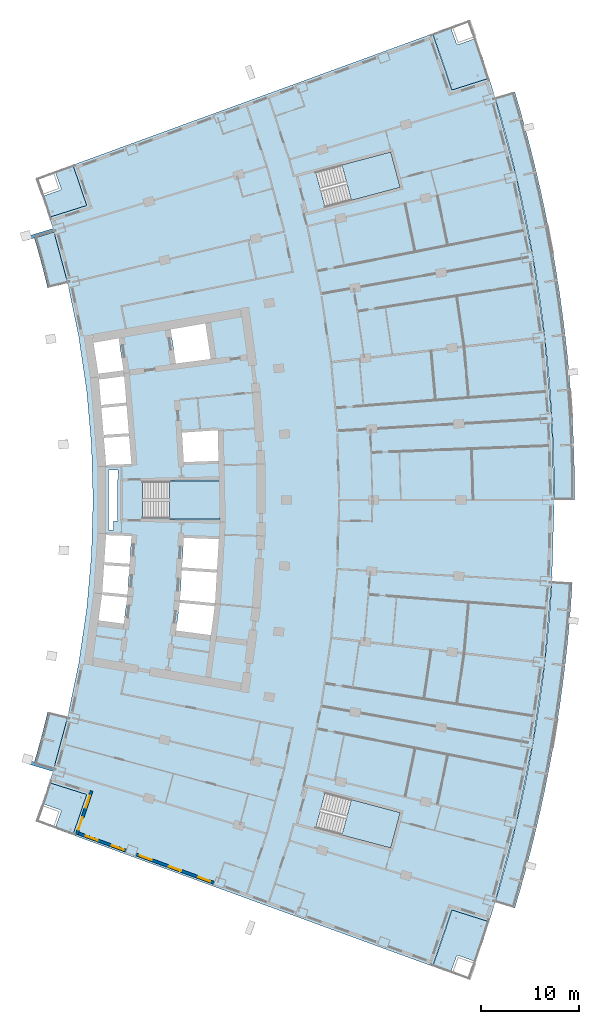
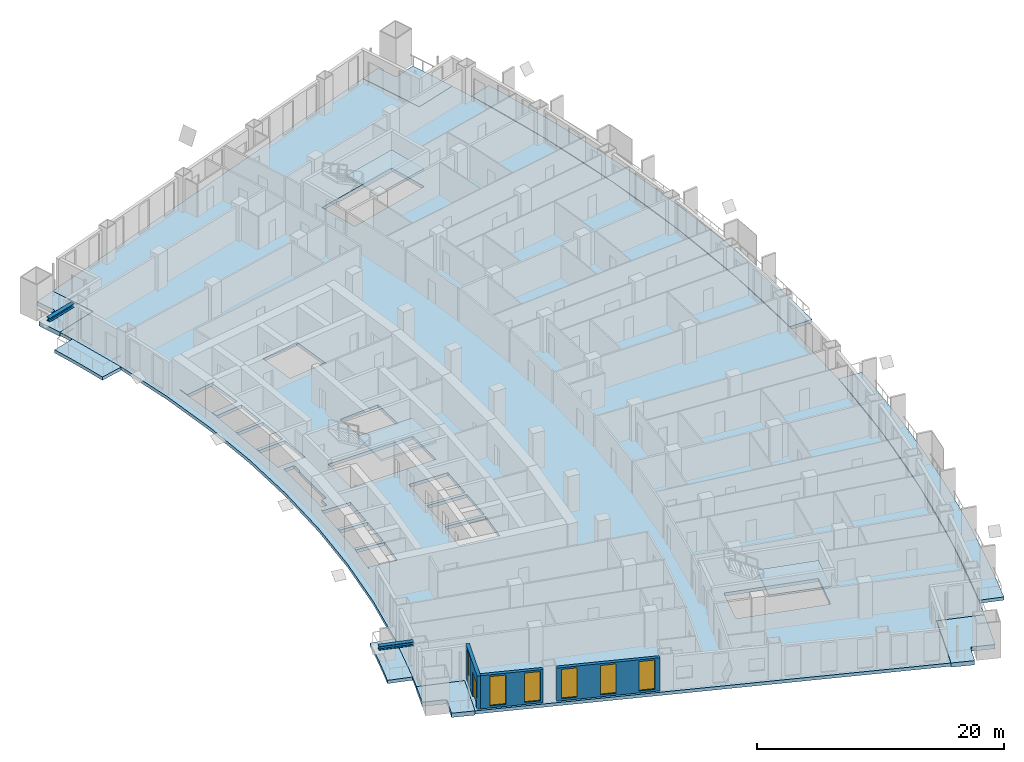
# One storey, part 12 of 25: 12 slabs, 6 windows, 3 walls, 2 members, 1 door, 7 openings, 3 elements without a shape of their own.
"""IFC4 building model written with IfcOpenShell, lengths in metres."""

from ifc_helpers import new_model, si_unit, direction, frame, frame_2d, origin, origin_2d, place, context, subcontext, project, spatial, polyline, rectangle, i_section, outline, extrude, material, layer, layer_set, material_profile, profile_set, type_object, element, fill, aggregate, save


model = new_model("IFC4")

# Units and contexts
model_context = context("Model", 3, precision=1e-05, world=origin(), true_north=direction((0.0, 1.0)))
body_context = subcontext(model_context, "Body", "Model", "MODEL_VIEW")
ifc_project = project(units=[si_unit("LENGTHUNIT", "METRE"), si_unit("AREAUNIT", "SQUARE_METRE"), si_unit("VOLUMEUNIT", "CUBIC_METRE"), si_unit("PLANEANGLEUNIT", "RADIAN"), si_unit("MASSUNIT", "GRAM", prefix="KILO")], contexts=[model_context])

# Site, building, storey
site_placement = place(None, origin())
site = spatial("IfcSite", under=ifc_project, at=site_placement, CompositionType="ELEMENT")
building_placement = place(site_placement, origin())
building = spatial("IfcBuilding", under=site, at=building_placement, Name="Alderwake Tower", CompositionType="ELEMENT")
storey_placement = place(building_placement, frame((0.0, 0.0, 60.800048828125)))
storey = spatial("IfcBuildingStorey", under=building, at=storey_placement, Name="L14", CompositionType="ELEMENT", Elevation=60.800048828125)

# Members
ifc_material_1 = material(Name="Steel ASTM A992 Grade 50", Category="steel")
ifc_material_profile = material_profile(ifc_material_1, i_section(OverallWidth=0.3740234375, OverallDepth=0.372314453125, WebThickness=0.016357421875, FlangeThickness=0.026123046875, at=origin_2d()), Name="W14X132")
ifc_profile_set = profile_set([ifc_material_profile], Name="Steel ASTM A992 Grade 50")
member_type = type_object("IfcMemberType", Name="Brace node stub W14X132", PredefinedType="MEMBER", material=ifc_profile_set)
for number, where, z_axis, x_axis, name in (
    (1, (11.993408203125, 33.380859375, 3.393798828125), (-0.957763890139, 0.287555787189, 0.0), (-0.287555787189, -0.957763890139, 0.0), "Brace node stub BS.RR02-C0.644"),
    (2, (11.993408203125, 88.619140625, 3.393798828125), (-0.957763890139, -0.287555787189, 0.0), (0.287555787189, -0.957763890139, 0.0), "Brace node stub BS.RR12-C0.644"),
):
    element("IfcMember", number, at=place(storey_placement, frame(where, z_axis=z_axis, x_axis=x_axis)), inside=storey, type_object=member_type, Name=name, PredefinedType="MEMBER", context=body_context, shape_type="SweptSolid", body=[
        extrude(i_section(OverallWidth=0.3740234375, OverallDepth=0.372314453125, WebThickness=0.016357421875, FlangeThickness=0.026123046875, at=origin_2d()), origin(), (0.0, 0.0, 1.0), 2.90869140625),
    ])

# Slabs
ifc_material_2 = material(Name="Concrete C50/60", Category="concrete")
ifc_layer_1 = layer(ifc_material_2, 0.320068359375)
ifc_layer_set_1 = layer_set([ifc_layer_1], Name="Balcony slab 320")
slab_type_1 = type_object("IfcSlabType", Name="Balcony slab 320", PredefinedType="FLOOR", material=ifc_layer_set_1)
slab_1_placement = place(storey_placement, frame((0.0, 0.0, -0.320068359375)))
element("IfcSlab", 3, at=slab_1_placement, inside=storey, type_object=slab_type_1, Name="Balcony BF02", PredefinedType="FLOOR", context=body_context, shape_type="SweptSolid", body=[
    extrude(outline(polyline([(59.7578125, 21.2529296875), (60.322509765625, 23.29541015625), (60.857666015625, 25.345703125), (61.362548828125, 27.403564453125), (61.83740234375, 29.468505859375), (62.2822265625, 31.540283203125), (62.696533203125, 33.618408203125), (63.080810546875, 35.7021484375), (63.4345703125, 37.791259765625), (63.7578125, 39.885498046875), (64.05029296875, 41.984130859375), (64.312255859375, 44.0869140625), (64.543701171875, 46.193115234375), (64.744140625, 48.302490234375), (64.913818359375, 50.41455078125), (65.052978515625, 52.529052734375), (62.956298828125, 52.6513671875), (62.819580078125, 50.567626953125), (62.652099609375, 48.486083984375), (62.45458984375, 46.406982421875), (62.2265625, 44.331298828125), (61.96826171875, 42.2587890625), (61.679931640625, 40.190673828125), (61.361328125, 38.126708984375), (61.0126953125, 36.067626953125), (60.63427734375, 34.013916015625), (60.225830078125, 31.966064453125), (59.78759765625, 29.92431640625), (59.3193359375, 27.888916015625), (58.82177734375, 25.86083984375), (58.294677734375, 23.840087890625), (57.738037109375, 21.827392578125), (57.152099609375, 19.822998046875), (59.163330078125, 19.218994140625), (59.7578125, 21.2529296875)])), origin(), (0.0, 0.0, 1.0), 0.320068359375),
])
slab_2_placement = place(storey_placement, frame((0.0, 0.0, -0.320068359375)))
element("IfcSlab", 4, at=slab_2_placement, inside=storey, type_object=slab_type_1, Name="Balcony BF07", PredefinedType="FLOOR", context=body_context, shape_type="SweptSolid", body=[
    extrude(outline(polyline([(65.284423828125, 63.118896484375), (65.23828125, 65.2373046875), (65.160888671875, 67.354736328125), (65.052978515625, 69.470947265625), (64.913818359375, 71.58544921875), (64.744140625, 73.697509765625), (64.543701171875, 75.806884765625), (64.312255859375, 77.9130859375), (64.05029296875, 80.015869140625), (63.7578125, 82.114501953125), (63.4345703125, 84.208740234375), (63.080810546875, 86.2978515625), (62.696533203125, 88.381591796875), (62.2822265625, 90.459716796875), (61.83740234375, 92.531494140625), (61.362548828125, 94.596435546875), (60.857666015625, 96.654296875), (60.322509765625, 98.70458984375), (59.7578125, 100.7470703125), (59.163330078125, 102.781005859375), (57.152099609375, 102.177001953125), (57.738037109375, 100.172607421875), (58.294677734375, 98.159912109375), (58.82177734375, 96.13916015625), (59.3193359375, 94.111083984375), (59.78759765625, 92.07568359375), (60.225830078125, 90.033935546875), (60.63427734375, 87.986083984375), (61.0126953125, 85.932373046875), (61.361328125, 83.873291015625), (61.679931640625, 81.809326171875), (61.96826171875, 79.7412109375), (62.2265625, 77.668701171875), (62.45458984375, 75.593017578125), (62.652099609375, 73.513916015625), (62.819580078125, 71.432373046875), (62.956298828125, 69.3486328125), (63.06298828125, 67.262939453125), (63.13916015625, 65.176025390625), (63.184814453125, 63.08837890625), (63.199951171875, 61.0), (65.300048828125, 61.0), (65.284423828125, 63.118896484375)])), origin(), (0.0, 0.0, 1.0), 0.320068359375),
])
slab_3_placement = place(storey_placement, frame((0.0, 0.0, -0.320068359375)))
element("IfcSlab", 5, at=slab_3_placement, inside=storey, type_object=slab_type_1, Name="Balcony BR02", PredefinedType="FLOOR", context=body_context, shape_type="SweptSolid", body=[
    extrude(outline(polyline([(9.93408203125, 33.999267578125), (11.945556640625, 33.395263671875), (13.3984375, 38.802734375), (11.35546875, 39.288330078125), (11.029052734375, 37.95849609375), (10.683349609375, 36.63330078125), (10.318359375, 35.3134765625), (9.93408203125, 33.999267578125)])), origin(), (0.0, 0.0, 1.0), 0.320068359375),
])
slab_4_placement = place(storey_placement, frame((0.0, 0.0, -0.320068359375)))
element("IfcSlab", 6, at=slab_4_placement, inside=storey, type_object=slab_type_1, Name="Balcony BR11", PredefinedType="FLOOR", context=body_context, shape_type="SweptSolid", body=[
    extrude(outline(polyline([(11.35546875, 82.711669921875), (13.3984375, 83.197265625), (11.945556640625, 88.604736328125), (9.93408203125, 88.000732421875), (10.318359375, 86.6865234375), (10.683349609375, 85.36669921875), (11.029052734375, 84.04150390625), (11.35546875, 82.711669921875)])), origin(), (0.0, 0.0, 1.0), 0.320068359375),
])
ifc_material_3 = material(Name="Concrete C50/60", Category="concrete")
ifc_layer_2 = layer(ifc_material_3, 0.320068359375)
ifc_layer_set_2 = layer_set([ifc_layer_2], Name="Concrete C50/60 post-tensioned flat plate 320")
slab_type_2 = type_object("IfcSlabType", Name="Concrete C50/60 post-tensioned flat plate 320", PredefinedType="FLOOR", material=ifc_layer_set_2)
slab_5_placement = place(storey_placement, frame((0.0, 0.0, -0.320068359375)))
element("IfcSlab", 7, at=slab_5_placement, inside=storey, type_object=slab_type_2, Name="Floor slab L14", PredefinedType="FLOOR", context=body_context, shape_type="SweptSolid", body=[
    extrude(outline(polyline([(11.533203125, 32.057373046875), (11.945556640625, 33.395263671875), (13.3984375, 38.802734375), (14.53369140625, 44.28564453125), (15.347412109375, 49.825439453125), (15.836669921875, 55.4033203125), (16.0, 61.0), (15.836669921875, 66.5966796875), (15.347412109375, 72.174560546875), (14.53369140625, 77.71435546875), (13.3984375, 83.197265625), (11.945556640625, 88.604736328125), (11.533203125, 89.942626953125), (15.34716796875, 91.1484375), (13.937255859375, 95.289794921875), (50.7607421875, 108.7314453125), (52.72314453125, 102.966796875), (56.537109375, 104.172607421875), (57.152099609375, 102.177001953125), (59.3193359375, 94.111083984375), (61.0126953125, 85.932373046875), (62.2265625, 77.668701171875), (62.956298828125, 69.3486328125), (63.199951171875, 61.0), (62.956298828125, 52.6513671875), (62.2265625, 44.331298828125), (61.0126953125, 36.067626953125), (59.3193359375, 27.888916015625), (57.152099609375, 19.822998046875), (56.537109375, 17.827392578125), (52.72314453125, 19.033203125), (50.7607421875, 13.2685546875), (13.937255859375, 26.710205078125), (15.34716796875, 30.8515625), (11.533203125, 32.057373046875)]), holes=[polyline([(16.943359375, 51.26953125), (16.9580078125, 51.4189453125), (16.972900390625, 51.568115234375), (19.525146484375, 51.31591796875), (19.71630859375, 54.164794921875), (17.153564453125, 54.33642578125), (17.16357421875, 54.486083984375), (17.173583984375, 54.6357421875), (19.736083984375, 54.464111328125), (19.92724609375, 57.312744140625), (17.364013671875, 57.403564453125), (17.369140625, 57.553466796875), (17.33935546875, 57.554443359375), (17.1337890625, 54.48828125), (16.927978515625, 51.421875), (16.92822265625, 51.421875), (16.50927734375, 48.377197265625), (16.5390625, 48.373291015625), (16.577880859375, 48.6708984375), (19.138671875, 48.3359375), (19.495361328125, 51.017333984375), (16.943359375, 51.26953125)]), polyline([(29.0, 62.875), (21.050048828125, 62.875), (21.050048828125, 59.125), (29.0, 59.125), (29.0, 62.875)]), polyline([(19.688720703125, 67.53271484375), (17.12548828125, 67.361083984375), (17.115478515625, 67.510498046875), (17.10546875, 67.660400390625), (19.6640625, 67.831787109375), (19.42822265625, 70.674560546875), (16.87646484375, 70.42236328125), (16.86181640625, 70.571533203125), (16.846923828125, 70.720947265625), (19.403564453125, 70.973388671875), (19.179931640625, 73.66943359375), (16.646484375, 73.338134765625), (16.607666015625, 73.635498046875), (16.56884765625, 73.93310546875), (19.111083984375, 74.265625), (18.6240234375, 77.531982421875), (18.919921875, 77.575927734375), (18.916748046875, 77.593994140625), (16.082275390625, 77.10546875), (15.9345703125, 77.9619140625), (15.634765625, 77.908935546875), (15.63525390625, 77.9052734375), (15.9140625, 77.9482421875), (16.57763671875, 73.631591796875), (16.578369140625, 73.626220703125), (16.831787109375, 70.568603515625), (17.085693359375, 67.508544921875), (17.33935546875, 64.4482421875), (17.33935546875, 64.445556640625), (17.369384765625, 64.446533203125), (17.364013671875, 64.596435546875), (19.9248046875, 64.687255859375), (19.688720703125, 67.53271484375)]), polyline([(47.436279296875, 28.996826171875), (39.754150390625, 31.043212890625), (38.7890625, 27.41943359375), (46.47119140625, 25.373291015625), (47.436279296875, 28.996826171875)]), polyline([(28.05419921875, 47.169921875), (28.4482421875, 50.1328125), (24.87451171875, 50.48583984375), (24.878662109375, 50.52783203125), (24.875, 50.5283203125), (24.48974609375, 47.635986328125), (28.05419921875, 47.169921875)]), polyline([(25.080810546875, 53.804931640625), (24.89501953125, 50.731201171875), (24.898681640625, 50.730712890625), (24.904052734375, 50.784423828125), (28.484375, 50.4306640625), (28.669921875, 53.564453125), (25.080810546875, 53.804931640625)]), polyline([(28.873291015625, 56.99609375), (25.281494140625, 57.123291015625), (25.09912109375, 54.1044921875), (28.687744140625, 53.864013671875), (28.873291015625, 56.99609375)]), polyline([(28.769287109375, 68.08935546875), (28.765869140625, 68.141357421875), (25.101318359375, 67.895751953125), (25.2822265625, 64.876708984375), (28.83740234375, 65.002685546875), (28.769287109375, 68.08935546875)]), polyline([(27.490966796875, 79.072021484375), (23.932373046875, 78.45849609375), (23.93310546875, 78.454833984375), (23.9443359375, 78.45654296875), (24.4697265625, 74.972412109375), (24.36474609375, 74.95654296875), (24.365478515625, 74.952880859375), (28.0400390625, 75.433349609375), (27.490966796875, 79.072021484375)]), polyline([(46.47119140625, 96.626708984375), (38.7890625, 94.58056640625), (39.754150390625, 90.956787109375), (47.436279296875, 93.003173828125), (46.47119140625, 96.626708984375)]), polyline([(17.58935546875, 64.05419921875), (17.58935546875, 57.94580078125), (18.065673828125, 57.928955078125), (18.090576171875, 58.84326171875), (18.544189453125, 58.8310546875), (18.529296875, 58.8681640625), (18.5234375, 58.89208984375), (18.5185546875, 58.94091796875), (18.5185546875, 63.060302734375), (18.5234375, 63.109130859375), (18.53759765625, 63.156005859375), (18.560791015625, 63.19921875), (18.588623046875, 63.233642578125), (18.565185546875, 64.088623046875), (17.58935546875, 64.05419921875)])]), origin(), (0.0, 0.0, 1.0), 0.320068359375),
])

# Stair, slab
ifc_material_4 = material(Name="Concrete C40/50", Category="concrete")
stair_type = type_object("IfcStairType", Name="Core exit stair", PredefinedType="HALF_TURN_STAIR", material=ifc_material_4)
stair_1_placement = place(storey_placement, origin())
stair_1 = element("IfcStair", 8, at=stair_1_placement, inside=storey, type_object=stair_type, Name="L14 Exit Stair B", PredefinedType="HALF_TURN_STAIR")
ifc_material_5 = material(Name="Concrete C40/50", Category="concrete")
ifc_layer_3 = layer(ifc_material_5, 0.199951171875)
ifc_layer_set_3 = layer_set([ifc_layer_3], Name="Core stair landing 200")
slab_type_3 = type_object("IfcSlabType", Name="Core stair landing 200", PredefinedType="LANDING", material=ifc_layer_set_3)
slab_6_placement = place(storey_placement, frame((0.0, 0.0, 1.599853515625)))
slab_6 = element("IfcSlab", 9, at=slab_6_placement, type_object=slab_type_3, Name="ST-B landing 1", PredefinedType="LANDING", context=body_context, shape_type="SweptSolid", body=[
    extrude(outline(polyline([(23.830078125, 59.074951171875), (29.0, 59.074951171875), (29.0, 62.925048828125), (23.830078125, 62.925048828125), (23.830078125, 59.074951171875)])), origin(), (0.0, 0.0, 1.0), 0.2001953125),
])
aggregate(stair_1, [slab_6])

stair_2_placement = place(storey_placement, origin())
stair_2 = element("IfcStair", 10, at=stair_2_placement, inside=storey, type_object=stair_type, Name="L14 Exit Stair A", PredefinedType="HALF_TURN_STAIR")
slab_7_placement = place(storey_placement, frame((0.0, 0.0, 1.599853515625)))
slab_7 = element("IfcSlab", 11, at=slab_7_placement, type_object=slab_type_3, Name="ST-A landing 1", PredefinedType="LANDING", context=body_context, shape_type="SweptSolid", body=[
    extrude(outline(polyline([(42.440673828125, 91.67236328125), (47.436279296875, 93.003173828125), (46.47119140625, 96.626708984375), (41.475341796875, 95.296142578125), (42.440673828125, 91.67236328125)])), origin(), (0.0, 0.0, 1.0), 0.2001953125),
])
aggregate(stair_2, [slab_7])

stair_3_placement = place(storey_placement, origin())
stair_3 = element("IfcStair", 12, at=stair_3_placement, inside=storey, type_object=stair_type, Name="L14 Exit Stair C", PredefinedType="HALF_TURN_STAIR")
slab_8_placement = place(storey_placement, frame((0.0, 0.0, 1.599853515625)))
slab_8 = element("IfcSlab", 13, at=slab_8_placement, type_object=slab_type_3, Name="ST-C landing 1", PredefinedType="LANDING", context=body_context, shape_type="SweptSolid", body=[
    extrude(outline(polyline([(41.475341796875, 26.703857421875), (46.47119140625, 25.373291015625), (47.436279296875, 28.996826171875), (42.4404296875, 30.32763671875), (41.475341796875, 26.703857421875)])), origin(), (0.0, 0.0, 1.0), 0.2001953125),
])
aggregate(stair_3, [slab_8])

# Slabs
ifc_material_6 = material(Name="Concrete C50/60", Category="concrete")
ifc_layer_4 = layer(ifc_material_6, 0.419921875)
ifc_layer_set_4 = layer_set([ifc_layer_4], Name="Terrace slab 420")
slab_type_4 = type_object("IfcSlabType", Name="Terrace slab 420", PredefinedType="FLOOR", material=ifc_layer_set_4)
slab_9_placement = place(storey_placement, frame((0.0, 0.0, -0.420166015625)))
element("IfcSlab", 14, at=slab_9_placement, inside=storey, type_object=slab_type_4, Name="Corner terrace FS", PredefinedType="FLOOR", context=body_context, shape_type="SweptSolid", body=[
    extrude(outline(polyline([(55.219970703125, 13.864013671875), (55.1748046875, 13.7373046875), (53.390380859375, 14.3759765625), (53.376220703125, 14.380126953125), (53.36181640625, 14.383056640625), (53.34716796875, 14.384521484375), (53.33251953125, 14.384521484375), (53.317626953125, 14.383056640625), (53.30322265625, 14.380126953125), (53.289306640625, 14.3759765625), (53.275634765625, 14.3701171875), (53.2626953125, 14.36328125), (53.25048828125, 14.35498046875), (53.239013671875, 14.345703125), (53.228515625, 14.33544921875), (53.21923828125, 14.323974609375), (53.211181640625, 14.311767578125), (53.2041015625, 14.298828125), (53.198486328125, 14.28515625), (52.59521484375, 12.59912109375), (50.7607421875, 13.2685546875), (51.44287109375, 15.1806640625), (52.096923828125, 17.102294921875), (52.72314453125, 19.033203125), (56.537109375, 17.827392578125), (55.892822265625, 15.8408203125), (55.219970703125, 13.864013671875)])), origin(), (0.0, 0.0, 1.0), 0.420166015625),
])
slab_10_placement = place(storey_placement, frame((0.0, 0.0, -0.420166015625)))
element("IfcSlab", 15, at=slab_10_placement, inside=storey, type_object=slab_type_4, Name="Corner terrace RS", PredefinedType="FLOOR", context=body_context, shape_type="SweptSolid", body=[
    extrude(outline(polyline([(13.937255859375, 26.710205078125), (12.10888671875, 27.377685546875), (12.114013671875, 27.39013671875), (12.71533203125, 29.086669921875), (12.7197265625, 29.100830078125), (12.722412109375, 29.115234375), (12.723876953125, 29.1298828125), (12.723876953125, 29.14453125), (12.722412109375, 29.1591796875), (12.719482421875, 29.173583984375), (12.715087890625, 29.187744140625), (12.70947265625, 29.201416015625), (12.702392578125, 29.21435546875), (12.6943359375, 29.2265625), (12.684814453125, 29.23779296875), (12.674560546875, 29.248291015625), (12.6630859375, 29.257568359375), (12.65087890625, 29.265625), (12.6376953125, 29.272705078125), (12.624267578125, 29.2783203125), (10.82568359375, 29.915771484375), (11.101318359375, 30.7255859375), (11.533203125, 32.057373046875), (15.34716796875, 30.8515625), (13.937255859375, 26.710205078125)])), origin(), (0.0, 0.0, 1.0), 0.420166015625),
])
slab_11_placement = place(storey_placement, frame((0.0, 0.0, -0.420166015625)))
element("IfcSlab", 16, at=slab_11_placement, inside=storey, type_object=slab_type_4, Name="Corner terrace FN", PredefinedType="FLOOR", context=body_context, shape_type="SweptSolid", body=[
    extrude(outline(polyline([(55.219970703125, 108.135986328125), (55.892822265625, 106.1591796875), (56.537109375, 104.172607421875), (52.72314453125, 102.966796875), (52.096923828125, 104.897705078125), (51.44287109375, 106.8193359375), (50.7607421875, 108.7314453125), (52.59521484375, 109.40087890625), (53.198486328125, 107.71484375), (53.2041015625, 107.701171875), (53.211181640625, 107.688232421875), (53.21923828125, 107.676025390625), (53.228515625, 107.66455078125), (53.239013671875, 107.654296875), (53.25048828125, 107.64501953125), (53.2626953125, 107.63671875), (53.275634765625, 107.6298828125), (53.289306640625, 107.6240234375), (53.30322265625, 107.619873046875), (53.317626953125, 107.616943359375), (53.33251953125, 107.615478515625), (53.34716796875, 107.615478515625), (53.36181640625, 107.616943359375), (53.376220703125, 107.619873046875), (53.390380859375, 107.6240234375), (55.1748046875, 108.2626953125), (55.219970703125, 108.135986328125)])), origin(), (0.0, 0.0, 1.0), 0.420166015625),
])
slab_12_placement = place(storey_placement, frame((0.0, 0.0, -0.420166015625)))
element("IfcSlab", 17, at=slab_12_placement, inside=storey, type_object=slab_type_4, Name="Corner terrace RN", PredefinedType="FLOOR", context=body_context, shape_type="SweptSolid", body=[
    extrude(outline(polyline([(10.82568359375, 92.084228515625), (12.624267578125, 92.7216796875), (12.6376953125, 92.727294921875), (12.65087890625, 92.734375), (12.6630859375, 92.742431640625), (12.674560546875, 92.751708984375), (12.684814453125, 92.76220703125), (12.6943359375, 92.7734375), (12.702392578125, 92.78564453125), (12.70947265625, 92.798583984375), (12.715087890625, 92.812255859375), (12.719482421875, 92.826416015625), (12.722412109375, 92.8408203125), (12.723876953125, 92.85546875), (12.723876953125, 92.8701171875), (12.722412109375, 92.884765625), (12.7197265625, 92.899169921875), (12.71533203125, 92.913330078125), (12.114013671875, 94.60986328125), (12.10888671875, 94.622314453125), (13.937255859375, 95.289794921875), (15.34716796875, 91.1484375), (11.533203125, 89.942626953125), (11.101318359375, 91.2744140625), (10.82568359375, 92.084228515625)])), origin(), (0.0, 0.0, 1.0), 0.420166015625),
])

# Wall, openings, door, window
ifc_material_7 = material(Name="Bronze metal cladding on lightweight framing")
ifc_layer_5 = layer(ifc_material_7, 0.300048828125)
ifc_layer_set_5 = layer_set([ifc_layer_5], Name="External wall EW2 bronze metal cladding")
wall_type = type_object("IfcWallType", Name="External wall EW2 bronze metal cladding", PredefinedType="SOLIDWALL", material=ifc_layer_set_5)
wall_1_placement = place(storey_placement, frame((15.83740234375, 31.220703125, 0.0), z_axis=(0.0, 0.0, 1.0), x_axis=(-0.32041006121, -0.947278941324, 0.0)))
wall_1 = element("IfcWall", 18, at=wall_1_placement, inside=storey, type_object=wall_type, Name="External wall 3", PredefinedType="SOLIDWALL", context=body_context, shape_type="SweptSolid", body=[
    extrude(rectangle(XDim=4.68994140625, YDim=0.300048828125, at=frame_2d((2.344970703125, 0.0))), origin(), (0.0, 0.0, 1.0), 3.280029296875),
])
opening_1_placement = place(wall_1_placement, frame((0.5224609375, 0.0, 0.199951171875)))
opening_1 = element("IfcOpeningElement", 19, at=opening_1_placement, cuts=wall_1, Name="Opening W1", PredefinedType="OPENING", context=body_context, shape_type="SweptSolid", body=[
    extrude(rectangle(XDim=1.300048828125, YDim=2.89990234375, at=frame_2d((0.64990234375, 1.449951171875))), frame((0.0, 0.159912109375, 0.0), z_axis=(0.0, -1.0, 0.0), x_axis=(1.0, 0.0, 0.0)), (0.0, 0.0, 1.0), 0.320068359375),
])
opening_2_placement = place(wall_1_placement, frame((2.867431640625, 0.0, 0.0)))
opening_2 = element("IfcOpeningElement", 20, at=opening_2_placement, cuts=wall_1, Name="Opening D01", PredefinedType="OPENING", context=body_context, shape_type="SweptSolid", body=[
    extrude(rectangle(XDim=1.300048828125, YDim=2.39990234375, at=frame_2d((0.64990234375, 1.199951171875))), frame((0.0, 0.159912109375, 0.0), z_axis=(0.0, -1.0, 0.0), x_axis=(1.0, 0.0, 0.0)), (0.0, 0.0, 1.0), 0.320068359375),
])
ifc_material_8 = material(Name="Bronze tinted glass in aluminium frame", Category="aluminium")
door_type = type_object("IfcDoorType", Name="Balcony door BD sliding", OperationType="SLIDING_TO_LEFT", PredefinedType="DOOR", material=ifc_material_8)
door_placement = place(opening_2_placement, origin())
door = element("IfcDoor", 21, at=door_placement, inside=storey, type_object=door_type, Name="Door D01", OperationType="SLIDING_TO_LEFT", OverallHeight=2.39990234375, OverallWidth=1.300048828125, PredefinedType="DOOR", context=body_context, shape_type="SweptSolid", body=[
    extrude(rectangle(XDim=1.300048828125, YDim=2.39990234375, at=frame_2d((0.64990234375, 1.199951171875))), frame((0.0, 0.02490234375, 0.0), z_axis=(0.0, -1.0, 0.0), x_axis=(1.0, 0.0, 0.0)), (0.0, 0.0, 1.0), 0.050048828125),
])
fill(opening_2, door)
ifc_material_9 = material(Name="Bronze tinted glass in aluminium frame", Category="aluminium")
window_type = type_object("IfcWindowType", Name="Window W1 tall fixed and vent", PartitioningType="DOUBLE_PANEL_VERTICAL", PredefinedType="WINDOW", material=ifc_material_9)
window_1_placement = place(opening_1_placement, origin())
window_1 = element("IfcWindow", 22, at=window_1_placement, inside=storey, type_object=window_type, Name="Window W1 tall fixed and vent", OverallHeight=2.89990234375, OverallWidth=1.300048828125, PartitioningType="DOUBLE_PANEL_VERTICAL", PredefinedType="WINDOW", context=body_context, shape_type="SweptSolid", body=[
    extrude(rectangle(XDim=1.300048828125, YDim=2.89990234375, at=frame_2d((0.64990234375, 1.449951171875))), frame((0.0, 0.030029296875, 0.0), z_axis=(0.0, -1.0, 0.0), x_axis=(1.0, 0.0, 0.0)), (0.0, 0.0, 1.0), 0.06005859375),
])
fill(opening_1, window_1)

# Wall, openings, windows
wall_2_placement = place(storey_placement, frame((14.523681640625, 26.86865234375, 0.0), z_axis=(0.0, 0.0, 1.0), x_axis=(0.939371865822, -0.342900127883, 0.0)))
wall_2 = element("IfcWall", 23, at=wall_2_placement, inside=storey, type_object=wall_type, Name="External wall 4", PredefinedType="SOLIDWALL", context=body_context, shape_type="SweptSolid", body=[
    extrude(rectangle(XDim=5.149169921875, YDim=0.300048828125, at=frame_2d((2.57470703125, 0.0))), origin(), (0.0, 0.0, 1.0), 3.280029296875),
])
opening_3_placement = place(wall_2_placement, frame((0.775390625, 0.0, 0.199951171875)))
opening_3 = element("IfcOpeningElement", 24, at=opening_3_placement, cuts=wall_2, Name="Opening W1", PredefinedType="OPENING", context=body_context, shape_type="SweptSolid", body=[
    extrude(rectangle(XDim=1.300048828125, YDim=2.89990234375, at=frame_2d((0.64990234375, 1.449951171875))), frame((0.0, 0.159912109375, 0.0), z_axis=(0.0, -1.0, 0.0), x_axis=(1.0, 0.0, 0.0)), (0.0, 0.0, 1.0), 0.320068359375),
])
opening_4_placement = place(wall_2_placement, frame((3.626220703125, 0.0, 0.199951171875)))
opening_4 = element("IfcOpeningElement", 25, at=opening_4_placement, cuts=wall_2, Name="Opening W1", PredefinedType="OPENING", context=body_context, shape_type="SweptSolid", body=[
    extrude(rectangle(XDim=1.300048828125, YDim=2.89990234375, at=frame_2d((0.64990234375, 1.449951171875))), frame((0.0, 0.159912109375, 0.0), z_axis=(0.0, -1.0, 0.0), x_axis=(1.0, 0.0, 0.0)), (0.0, 0.0, 1.0), 0.320068359375),
])
window_2_placement = place(opening_3_placement, origin())
window_2 = element("IfcWindow", 26, at=window_2_placement, inside=storey, type_object=window_type, Name="Window W1 tall fixed and vent", OverallHeight=2.89990234375, OverallWidth=1.300048828125, PartitioningType="DOUBLE_PANEL_VERTICAL", PredefinedType="WINDOW", context=body_context, shape_type="SweptSolid", body=[
    extrude(rectangle(XDim=1.300048828125, YDim=2.89990234375, at=frame_2d((0.64990234375, 1.449951171875))), frame((0.0, 0.030029296875, 0.0), z_axis=(0.0, -1.0, 0.0), x_axis=(1.0, 0.0, 0.0)), (0.0, 0.0, 1.0), 0.06005859375),
])
fill(opening_3, window_2)
window_3_placement = place(opening_4_placement, origin())
window_3 = element("IfcWindow", 27, at=window_3_placement, inside=storey, type_object=window_type, Name="Window W1 tall fixed and vent", OverallHeight=2.89990234375, OverallWidth=1.300048828125, PartitioningType="DOUBLE_PANEL_VERTICAL", PredefinedType="WINDOW", context=body_context, shape_type="SweptSolid", body=[
    extrude(rectangle(XDim=1.300048828125, YDim=2.89990234375, at=frame_2d((0.64990234375, 1.449951171875))), frame((0.0, 0.030029296875, 0.0), z_axis=(0.0, -1.0, 0.0), x_axis=(1.0, 0.0, 0.0)), (0.0, 0.0, 1.0), 0.06005859375),
])
fill(opening_4, window_3)

wall_3_placement = place(storey_placement, frame((20.398681640625, 24.72412109375, 0.0), z_axis=(0.0, 0.0, 1.0), x_axis=(0.939379066762, -0.342880400328, 0.0)))
wall_3 = element("IfcWall", 28, at=wall_3_placement, inside=storey, type_object=wall_type, Name="External wall 5", PredefinedType="SOLIDWALL", context=body_context, shape_type="SweptSolid", body=[
    extrude(rectangle(XDim=8.4951171875, YDim=0.300048828125, at=frame_2d((4.24755859375, 0.0))), origin(), (0.0, 0.0, 1.0), 3.280029296875),
])
opening_5_placement = place(wall_3_placement, frame((0.3974609375, 0.0, 0.199951171875)))
opening_5 = element("IfcOpeningElement", 29, at=opening_5_placement, cuts=wall_3, Name="Opening W1", PredefinedType="OPENING", context=body_context, shape_type="SweptSolid", body=[
    extrude(rectangle(XDim=1.300048828125, YDim=2.89990234375, at=frame_2d((0.64990234375, 1.449951171875))), frame((0.0, 0.159912109375, 0.0), z_axis=(0.0, -1.0, 0.0), x_axis=(1.0, 0.0, 0.0)), (0.0, 0.0, 1.0), 0.320068359375),
])
opening_6_placement = place(wall_3_placement, frame((3.597412109375, 0.0, 0.199951171875)))
opening_6 = element("IfcOpeningElement", 30, at=opening_6_placement, cuts=wall_3, Name="Opening W1", PredefinedType="OPENING", context=body_context, shape_type="SweptSolid", body=[
    extrude(rectangle(XDim=1.300048828125, YDim=2.89990234375, at=frame_2d((0.64990234375, 1.449951171875))), frame((0.0, 0.159912109375, 0.0), z_axis=(0.0, -1.0, 0.0), x_axis=(1.0, 0.0, 0.0)), (0.0, 0.0, 1.0), 0.320068359375),
])
opening_7_placement = place(wall_3_placement, frame((6.797607421875, 0.0, 0.199951171875)))
opening_7 = element("IfcOpeningElement", 31, at=opening_7_placement, cuts=wall_3, Name="Opening W1", PredefinedType="OPENING", context=body_context, shape_type="SweptSolid", body=[
    extrude(rectangle(XDim=1.300048828125, YDim=2.89990234375, at=frame_2d((0.64990234375, 1.449951171875))), frame((0.0, 0.159912109375, 0.0), z_axis=(0.0, -1.0, 0.0), x_axis=(1.0, 0.0, 0.0)), (0.0, 0.0, 1.0), 0.320068359375),
])
window_4_placement = place(opening_5_placement, origin())
window_4 = element("IfcWindow", 32, at=window_4_placement, inside=storey, type_object=window_type, Name="Window W1 tall fixed and vent", OverallHeight=2.89990234375, OverallWidth=1.300048828125, PartitioningType="DOUBLE_PANEL_VERTICAL", PredefinedType="WINDOW", context=body_context, shape_type="SweptSolid", body=[
    extrude(rectangle(XDim=1.300048828125, YDim=2.89990234375, at=frame_2d((0.64990234375, 1.449951171875))), frame((0.0, 0.030029296875, 0.0), z_axis=(0.0, -1.0, 0.0), x_axis=(1.0, 0.0, 0.0)), (0.0, 0.0, 1.0), 0.06005859375),
])
fill(opening_5, window_4)
window_5_placement = place(opening_6_placement, origin())
window_5 = element("IfcWindow", 33, at=window_5_placement, inside=storey, type_object=window_type, Name="Window W1 tall fixed and vent", OverallHeight=2.89990234375, OverallWidth=1.300048828125, PartitioningType="DOUBLE_PANEL_VERTICAL", PredefinedType="WINDOW", context=body_context, shape_type="SweptSolid", body=[
    extrude(rectangle(XDim=1.300048828125, YDim=2.89990234375, at=frame_2d((0.64990234375, 1.449951171875))), frame((0.0, 0.030029296875, 0.0), z_axis=(0.0, -1.0, 0.0), x_axis=(1.0, 0.0, 0.0)), (0.0, 0.0, 1.0), 0.06005859375),
])
fill(opening_6, window_5)
window_6_placement = place(opening_7_placement, origin())
window_6 = element("IfcWindow", 34, at=window_6_placement, inside=storey, type_object=window_type, Name="Window W1 tall fixed and vent", OverallHeight=2.89990234375, OverallWidth=1.300048828125, PartitioningType="DOUBLE_PANEL_VERTICAL", PredefinedType="WINDOW", context=body_context, shape_type="SweptSolid", body=[
    extrude(rectangle(XDim=1.300048828125, YDim=2.89990234375, at=frame_2d((0.64990234375, 1.449951171875))), frame((0.0, 0.030029296875, 0.0), z_axis=(0.0, -1.0, 0.0), x_axis=(1.0, 0.0, 0.0)), (0.0, 0.0, 1.0), 0.06005859375),
])
fill(opening_7, window_6)

save(model, "model.ifc")
